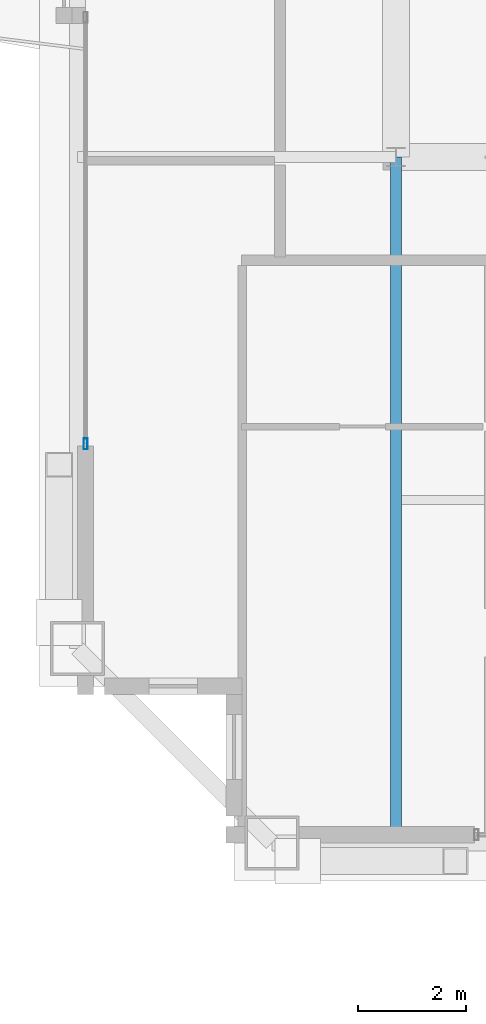
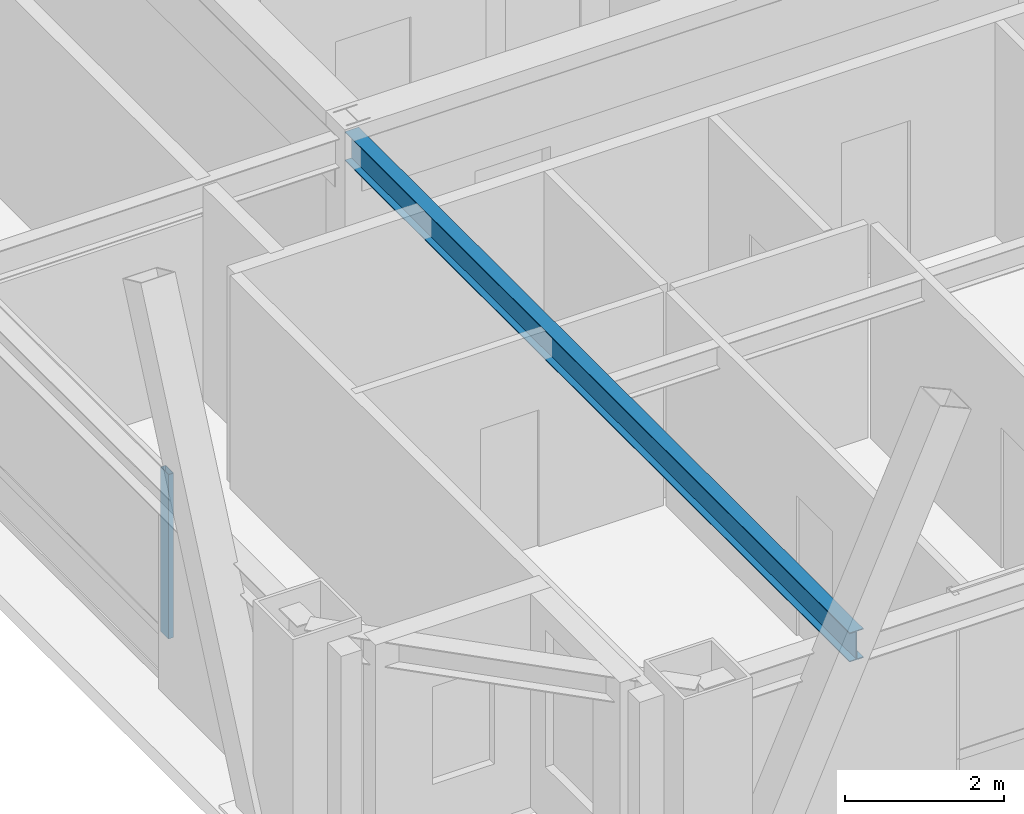
# One storey, part 5 of 33: 1 beam, 1 member, 1 element without a shape of its own.
"""IFC4 building model written with IfcOpenShell, lengths in metres."""

from ifc_helpers import new_model, si_unit, direction, frame, origin, origin_2d, place, context, subcontext, project, spatial, hollow_rectangle, i_section, extrude, source, transform, mapped, material, layer, layer_set, material_profile, profile_set, type_object, element, aggregate, save


model = new_model("IFC4")

# Units and contexts
model_context = context("Model", 3, precision=1e-05, world=origin(), true_north=direction((0.0, 1.0)))
body_context = subcontext(model_context, "Body", "Model", "MODEL_VIEW")
ifc_project = project(units=[si_unit("LENGTHUNIT", "METRE"), si_unit("AREAUNIT", "SQUARE_METRE"), si_unit("VOLUMEUNIT", "CUBIC_METRE"), si_unit("PLANEANGLEUNIT", "RADIAN"), si_unit("MASSUNIT", "GRAM", prefix="KILO"), si_unit("THERMODYNAMICTEMPERATUREUNIT", "KELVIN"), si_unit("POWERUNIT", "WATT")], contexts=[model_context])

# Site, building, storey
site_placement = place(None, origin())
site = spatial("IfcSite", under=ifc_project, at=site_placement, CompositionType="ELEMENT")
building_placement = place(site_placement, origin())
building = spatial("IfcBuilding", under=site, at=building_placement, Name="Yuzanri Waterfront Tower", CompositionType="ELEMENT")
storey_placement = place(building_placement, frame((0.0, 0.0, 321.699951171875)))
storey = spatial("IfcBuildingStorey", under=building, at=storey_placement, Name="L86", CompositionType="ELEMENT", Elevation=321.699951171875)

# Beam
ifc_material_1 = material(Name="Steel Q355B", Category="steel")
ifc_material_profile_1 = material_profile(ifc_material_1, i_section(OverallWidth=0.199951171875, OverallDepth=0.449951171875, WebThickness=0.009033203125, FlangeThickness=0.013916015625, at=origin_2d()), Name="HN 450x200x9x14")
ifc_profile_set_1 = profile_set([ifc_material_profile_1], Name="Steel Q355B")
beam_type = type_object("IfcBeamType", Name="Secondary Floor Beam Q355B HN 450x200", PredefinedType="BEAM", material=ifc_profile_set_1)
shared_shape_1 = source(origin(), body_context, "Body", "SweptSolid", [
    extrude(i_section(OverallWidth=0.199951171875, OverallDepth=0.449951171875, WebThickness=0.009033203125, FlangeThickness=0.013916015625, at=origin_2d()), origin(), (0.0, 0.0, 1.0), 12.699951171875),
])
beam_placement = place(storey_placement, frame((23.800048828125, 19.39990234375, 3.054931640625), z_axis=(0.0, -1.0, 0.0), x_axis=(1.0, 0.0, 0.0)))
element("IfcBeam", 1, at=beam_placement, inside=storey, type_object=beam_type, Name="L86 South-West Core Line Beam", PredefinedType="BEAM", context=body_context, shape_type="MappedRepresentation", body=[
    mapped(shared_shape_1, transform((0.0, 0.0, 0.0), scale=1.0)),
])

# Curtain wall, member
ifc_material_2 = material(Name="Anodized Architectural Bronze", Category="metal")
ifc_layer = layer(ifc_material_2, 0.159912109375)
ifc_layer_set = layer_set([ifc_layer], Name="Anodized Architectural Bronze")
curtain_wall_type = type_object("IfcCurtainWallType", Name="Anodized Bronze High-Rise Penthouse High-Wind Unitized Curtain Wall 6900", PredefinedType="NOTDEFINED", material=ifc_layer_set)
curtain_wall_placement = place(storey_placement, origin())
curtain_wall = element("IfcCurtainWall", 2, at=curtain_wall_placement, inside=storey, type_object=curtain_wall_type, Name="L86 Curtain Wall CW-L86-WL1", PredefinedType="NOTDEFINED")
ifc_material_3 = material(Name="Anodized Architectural Bronze", Category="metal")
ifc_material_profile_2 = material_profile(ifc_material_3, hollow_rectangle(XDim=0.074951171875, YDim=0.199951171875, WallThickness=0.00390625, at=origin_2d()), Name="CWM 75x200")
ifc_profile_set_2 = profile_set([ifc_material_profile_2], Name="Anodized Architectural Bronze")
member_type = type_object("IfcMemberType", Name="Anodized Bronze Primary Curtain-Wall Mullion 75x200", PredefinedType="MULLION", material=ifc_profile_set_2)
shared_shape_2 = source(origin(), body_context, "Body", "SweptSolid", [
    extrude(hollow_rectangle(XDim=0.074951171875, YDim=0.199951171875, WallThickness=0.00390625, at=origin_2d()), origin(), (0.0, 0.0, 1.0), 2.52392578125),
])
member_placement = place(storey_placement, frame((18.050048828125, 14.090087890625, 0.756103515625), z_axis=(0.0, 0.0, 1.0), x_axis=(1.0, 0.0, 0.0)))
member = element("IfcMember", 3, at=member_placement, type_object=member_type, Name="CW-L86-WL1 Upper Mullion 00", PredefinedType="MULLION", context=body_context, shape_type="MappedRepresentation", body=[
    mapped(shared_shape_2, transform((0.0, 0.0, 0.0), scale=1.0)),
])
aggregate(curtain_wall, [member])

save(model, "model.ifc")
